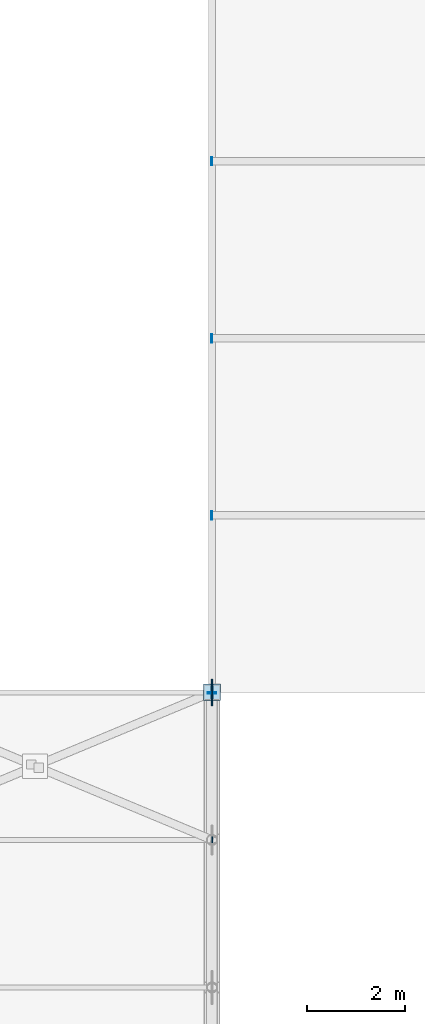
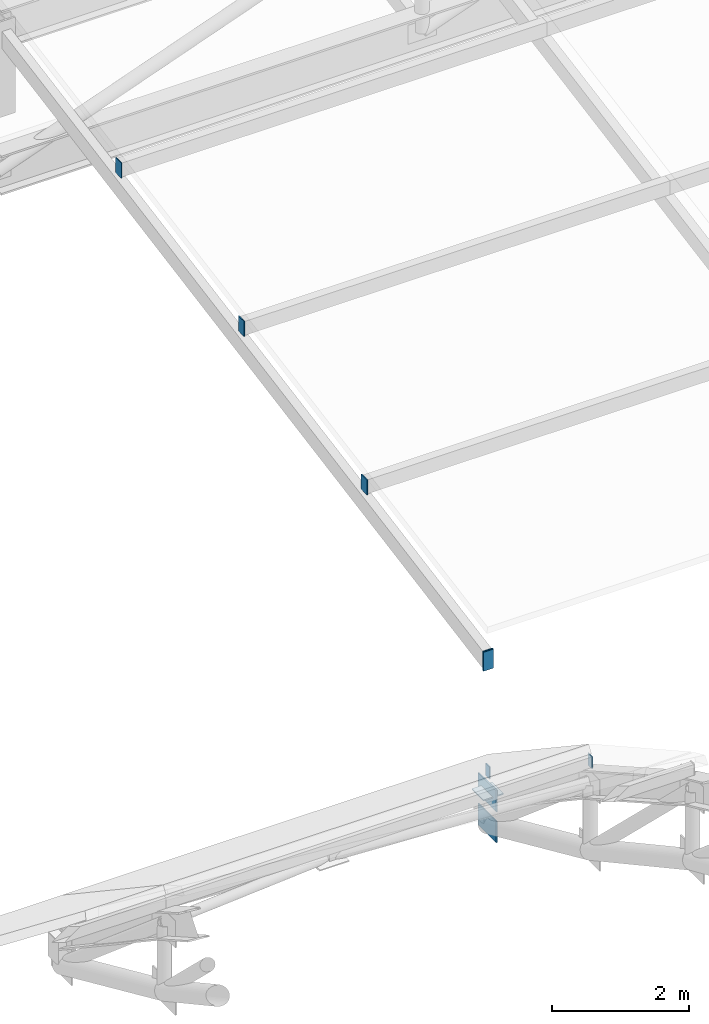
# One storey, part 52 of 63: 10 plates.
"""IFC4 building model written with IfcOpenShell, lengths in metres."""

from ifc_helpers import new_model, si_unit, direction, frame, origin, origin_2d, place, context, subcontext, project, spatial, rectangle, extrude, material, layer, layer_set, type_object, element, save


model = new_model("IFC4")

# Units and contexts
model_context = context("Model", 3, precision=1e-05, world=origin(), true_north=direction((0.0, 1.0)))
body_context = subcontext(model_context, "Body", "Model", "MODEL_VIEW")
ifc_project = project(units=[si_unit("LENGTHUNIT", "METRE"), si_unit("AREAUNIT", "SQUARE_METRE"), si_unit("VOLUMEUNIT", "CUBIC_METRE"), si_unit("PLANEANGLEUNIT", "RADIAN"), si_unit("MASSUNIT", "GRAM", prefix="KILO")], contexts=[model_context])

# Site, building, storey
site_placement = place(None, origin())
site = spatial("IfcSite", under=ifc_project, at=site_placement, CompositionType="ELEMENT")
building_placement = place(site_placement, origin())
building = spatial("IfcBuilding", under=site, at=building_placement, Name="Solvadek Multi-Sports Hall", CompositionType="ELEMENT")
storey_placement = place(building_placement, frame((0.0, 0.0, 19.199951171875)))
storey = spatial("IfcBuildingStorey", under=building, at=storey_placement, Name="RF", CompositionType="ELEMENT", Elevation=19.199951171875)

# Plates
ifc_material = material(Name="Steel E350 (350 MPa)", Category="steel")
ifc_layer_1 = layer(ifc_material, 0.01611328125, Name="Steel E350 (350 MPa)")
ifc_layer_set_1 = layer_set([ifc_layer_1], Name="Steel E350 (350 MPa)")
plate_type_1 = type_object("IfcPlateType", Name="STR-PLT-CAP16", PredefinedType="USERDEFINED", material=ifc_layer_set_1)
for number, where, z_axis, x_axis, name in (
    (1, (136.803955078125, 39.0, -1.28125), (0.0, 0.0, 1.0), (1.0, 0.0, 0.0), "V1 Purlin End Cap Plate #25"),
    (2, (136.803955078125, 42.0, -3.28515625), (0.0, 0.0, 1.0), (1.0, 0.0, 0.0), "V1 Purlin End Cap Plate #26"),
):
    element("IfcPlate", number, at=place(storey_placement, frame(where, z_axis=z_axis, x_axis=x_axis)), inside=storey, type_object=plate_type_1, Name=name, ObjectType="BASE_PLATE", PredefinedType="USERDEFINED", context=body_context, shape_type="SweptSolid", body=[
        extrude(rectangle(XDim=0.01611328125, YDim=0.1201171875, at=origin_2d()), origin(), (0.0, 0.0, 1.0), 0.219970703125),
    ])
for number, where, z_axis, x_axis, name in (
    (3, (136.800048828125, 41.99609375, -1.33935546875), (0.0, 0.0, 1.0), (1.0, 0.0, 0.0), "V2 Rafter End Cap Plate #61"),
    (4, (136.800048828125, 41.97900390625, -1.34375), (0.0, 0.0, 1.0), (1.0, 0.0, 0.0), "V2 Rafter Shoe Cap Plate #62"),
):
    element("IfcPlate", number, at=place(storey_placement, frame(where, z_axis=z_axis, x_axis=x_axis)), inside=storey, type_object=plate_type_1, Name=name, ObjectType="BASE_PLATE", PredefinedType="USERDEFINED", context=body_context, shape_type="SweptSolid", body=[
        extrude(rectangle(XDim=0.169921875, YDim=0.01611328125, at=origin_2d()), origin(), (0.0, 0.0, 1.0), 0.340087890625),
    ])
for number, where, z_axis, x_axis, name in (
    (5, (136.7958984375, 45.60009765625, -0.365234375), (0.0, 0.0, 1.0), (1.0, 0.0, 0.0), "V2 Purlin End Cap Plate #65"),
    (6, (136.7958984375, 49.199951171875, 0.284912109375), (0.0, 0.0, 1.0), (1.0, 0.0, 0.0), "V2 Purlin End Cap Plate #66"),
    (7, (136.7958984375, 52.800048828125, 0.934814453125), (0.0, 0.0, 1.0), (1.0, 0.0, 0.0), "V2 Purlin End Cap Plate #67"),
):
    element("IfcPlate", number, at=place(storey_placement, frame(where, z_axis=z_axis, x_axis=x_axis)), inside=storey, type_object=plate_type_1, Name=name, ObjectType="BASE_PLATE", PredefinedType="USERDEFINED", context=body_context, shape_type="SweptSolid", body=[
        extrude(rectangle(XDim=0.01611328125, YDim=0.169921875, at=origin_2d()), origin(), (0.0, 0.0, 1.0), 0.27001953125),
    ])
ifc_layer_2 = layer(ifc_material, 0.02001953125, Name="Steel E350 (350 MPa)")
ifc_layer_set_2 = layer_set([ifc_layer_2], Name="Steel E350 (350 MPa)")
plate_type_2 = type_object("IfcPlateType", Name="STR-PLT-CAP340", PredefinedType="USERDEFINED", material=ifc_layer_set_2)
plate_placement = place(storey_placement, frame((136.800048828125, 42.0, -3.550048828125), z_axis=(0.0, 0.0, 1.0), x_axis=(1.0, 0.0, 0.0)))
element("IfcPlate", 8, at=plate_placement, inside=storey, type_object=plate_type_2, Name="v1 Bearing Post Cap #8.8", ObjectType="BASE_PLATE", PredefinedType="USERDEFINED", context=body_context, shape_type="SweptSolid", body=[
    extrude(rectangle(XDim=0.340087890625, YDim=0.340087890625, at=origin_2d()), origin(), (0.0, 0.0, 1.0), 0.02001953125),
])
ifc_layer_3 = layer(ifc_material, 0.02197265625, Name="Steel E350 (350 MPa)")
ifc_layer_set_3 = layer_set([ifc_layer_3], Name="Steel E350 (350 MPa)")
plate_type_3 = type_object("IfcPlateType", Name="STR-PLT-GUS540", PredefinedType="USERDEFINED", material=ifc_layer_set_3)
for number, where, z_axis, x_axis, name in (
    (9, (136.800048828125, 42.0, -3.739990234375), (0.0, 0.0, 1.0), (0.0, 1.0, 0.0), "V1 Truss Top Gusset Plate #143"),
    (10, (136.800048828125, 42.0, -4.289794921875), (0.0, 0.0, 1.0), (0.0, 1.0, 0.0), "V1 Truss Bottom Gusset Plate #144"),
):
    element("IfcPlate", number, at=place(storey_placement, frame(where, z_axis=z_axis, x_axis=x_axis)), inside=storey, type_object=plate_type_3, Name=name, ObjectType="GUSSET_PLATE", PredefinedType="USERDEFINED", context=body_context, shape_type="SweptSolid", body=[
        extrude(rectangle(XDim=0.5400390625, YDim=0.02197265625, at=origin_2d()), origin(), (0.0, 0.0, 1.0), 0.3798828125),
    ])

save(model, "model.ifc")
